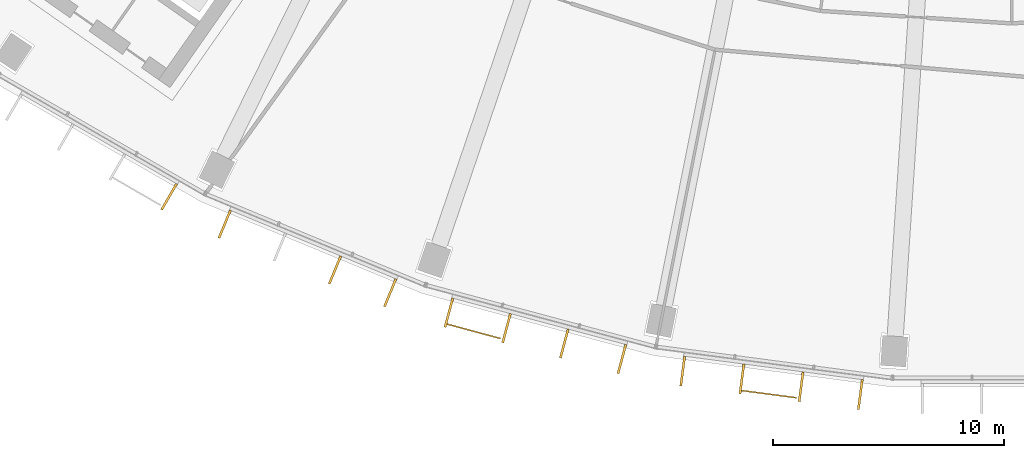
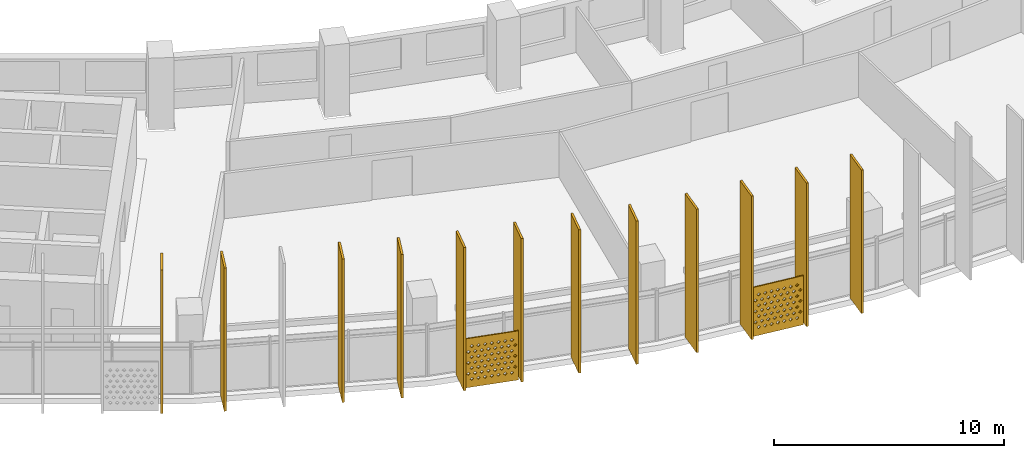
# One storey, part 23 of 31: 14 shading devices.
"""IFC4 building model written with IfcOpenShell, lengths in metres."""

import ifcopenshell
import ifcopenshell.guid

model = None  # the IFC model being written
_history = None  # IfcOwnerHistory: only IFC2X3 demands one
_inside = {}  # id of a spatial element -> (the spatial element, [elements in it])
_under = {}  # id of a project, library or spatial element -> (it, [spatial elements below it])
_declared = {}  # id of a project -> (the project, [libraries it declares])
_typed = {}  # id of a type object -> (the type object, [elements of that type])
_made_of = {}  # id of a material, layer set ... -> (it, [elements and type objects made of it])


def new_model(schema):
    """Start an empty IFC model of exactly this schema.

    Asked for "IFC4X3", IfcOpenShell would pick the latest addendum, in which some entities
    have other attributes; the version numbers below select the first issue.
    IFC2X3 requires an IfcOwnerHistory on every rooted entity: one is made here for all.
    """
    global model, _history
    if schema == "IFC4X3":
        model = ifcopenshell.file(schema_version=(4, 3, 0, 0))
    else:
        model = ifcopenshell.file(schema=schema)
    _inside.clear()
    _under.clear()
    _declared.clear()
    _typed.clear()
    _made_of.clear()
    _history = None
    if model.schema == "IFC2X3":
        org = make("IfcOrganization", Name="unknown")
        user = make(
            "IfcPersonAndOrganization",
            ThePerson=make("IfcPerson", FamilyName="unknown"),
            TheOrganization=org,
        )
        app = make(
            "IfcApplication",
            ApplicationDeveloper=org,
            Version="unknown",
            ApplicationFullName="unknown",
            ApplicationIdentifier="unknown",
        )
        _history = make(
            "IfcOwnerHistory",
            OwningUser=user,
            OwningApplication=app,
            ChangeAction="ADDED",
            CreationDate=0,
        )
    return model


def make(cls, **values):
    """One entity of the class cls with the attributes given. An attribute that is None is left unset."""
    return model.create_entity(
        cls, **{name: value for name, value in values.items() if value is not None}
    )


def rooted(cls, **values):
    """An entity with a GlobalId (a new one), such as an element, a storey or a relation."""
    return make(cls, GlobalId=ifcopenshell.guid.new(), OwnerHistory=_history, **values)


def si_unit(unit_type, name, prefix=None):
    """IfcSIUnit, for example si_unit("LENGTHUNIT", "METRE", prefix="MILLI")."""
    return make("IfcSIUnit", UnitType=unit_type, Prefix=prefix, Name=name)


def assignment(units):
    """IfcUnitAssignment: the units of a project."""
    return None if units is None else make("IfcUnitAssignment", Units=units)


def point(xyz):
    """IfcCartesianPoint."""
    return None if xyz is None else make("IfcCartesianPoint", Coordinates=xyz)


def direction(xyz):
    """IfcDirection."""
    return None if xyz is None else make("IfcDirection", DirectionRatios=xyz)


def frame(location, z_axis=None, x_axis=None):
    """IfcAxis2Placement3D, a coordinate frame: its origin and axes. An axis left out is left unset."""
    return make(
        "IfcAxis2Placement3D",
        Location=point(location),
        Axis=direction(z_axis),
        RefDirection=direction(x_axis),
    )


def frame_2d(location, x_axis=None):
    """IfcAxis2Placement2D, a coordinate frame in the plane: its origin and x axis."""
    return make(
        "IfcAxis2Placement2D", Location=point(location), RefDirection=direction(x_axis)
    )


def origin():
    """The frame at (0, 0, 0) with its axes left unset."""
    return frame((0.0, 0.0, 0.0))


def origin_2d():
    """The frame at (0, 0) in the plane with its x axis left unset."""
    return frame_2d((0.0, 0.0))


def place(relative_to, where):
    """IfcLocalPlacement: puts the frame where relative to a parent placement (None: the world)."""
    return make(
        "IfcLocalPlacement", PlacementRelTo=relative_to, RelativePlacement=where
    )


def context(
    kind, dimensions, precision=None, world=None, true_north=None, identifier=None
):
    """IfcGeometricRepresentationContext, for example the 3D "Model" context."""
    return make(
        "IfcGeometricRepresentationContext",
        ContextIdentifier=identifier,
        ContextType=kind,
        CoordinateSpaceDimension=dimensions,
        Precision=precision,
        WorldCoordinateSystem=world,
        TrueNorth=true_north,
    )


def subcontext(parent, identifier, kind, view, scale=None):
    """IfcGeometricRepresentationSubContext, for example "Body" below "Model"."""
    return make(
        "IfcGeometricRepresentationSubContext",
        ContextIdentifier=identifier,
        ContextType=kind,
        ParentContext=parent,
        TargetScale=scale,
        TargetView=view,
    )


def project(units=None, contexts=None):
    """IfcProject with its units and contexts."""
    return rooted(
        "IfcProject",
        Name="project",
        RepresentationContexts=contexts,
        UnitsInContext=assignment(units),
    )


def spatial(cls, under=None, at=None, **own):
    """A site, building, storey or space (cls), placed at a placement, below another one or the project."""
    s = rooted(cls, ObjectPlacement=at, **own)
    if under is not None:
        _under.setdefault(under.id(), (under, []))[1].append(s)
    return s


def polyline(points):
    """IfcPolyline through the points."""
    return make("IfcPolyline", Points=[point(p) for p in points])


def profile(cls, at=None, kind="AREA", **sizes):
    """A parametric profile (cls). Its sizes go by their IFC names, for example OverallWidth=200.0."""
    return make(cls, ProfileType=kind, Position=at, **sizes)


def rectangle(**sizes):
    """IfcRectangleProfileDef."""
    return profile("IfcRectangleProfileDef", **sizes)


def outline(outer, holes=None, kind="AREA"):
    """IfcArbitraryClosedProfileDef: a profile drawn as a closed curve; with holes, ...WithVoids."""
    if holes is None:
        return make("IfcArbitraryClosedProfileDef", ProfileType=kind, OuterCurve=outer)
    return make(
        "IfcArbitraryProfileDefWithVoids",
        ProfileType=kind,
        OuterCurve=outer,
        InnerCurves=holes,
    )


def extrude(swept, where, along, depth):
    """IfcExtrudedAreaSolid: the profile swept, set in the frame where, extruded along a direction by depth."""
    return make(
        "IfcExtrudedAreaSolid",
        SweptArea=swept,
        Position=where,
        ExtrudedDirection=direction(along),
        Depth=depth,
    )


def shape(context_of_items, identifier, shape_type, items):
    """IfcShapeRepresentation: the items that make up one representation, for example the "Body"."""
    return make(
        "IfcShapeRepresentation",
        ContextOfItems=context_of_items,
        RepresentationIdentifier=identifier,
        RepresentationType=shape_type,
        Items=items,
    )


def material(Name=None, Category=None):
    """IfcMaterial."""
    return make("IfcMaterial", Name=Name, Category=Category)


def material_profile(
    of_material, cross_section, Name=None, Category=None, Priority=None
):
    """IfcMaterialProfile: a cross section and its material."""
    return make(
        "IfcMaterialProfile",
        Name=Name,
        Material=of_material,
        Profile=cross_section,
        Priority=Priority,
        Category=Category,
    )


def profile_set(profiles, Name=None, composite=None):
    """IfcMaterialProfileSet."""
    return make(
        "IfcMaterialProfileSet",
        Name=Name,
        MaterialProfiles=profiles,
        CompositeProfile=composite,
    )


def made_of(thing, what):
    """Note that an element or type object is made of a material, layer set ...; save() writes the relation."""
    if what is not None:
        _made_of.setdefault(what.id(), (what, []))[1].append(thing)
    return thing


def type_object(cls, material=None, **own):
    """A type object (cls), such as IfcWallType, which elements share."""
    return made_of(rooted(cls, **own), material)


def element(
    cls,
    number,
    at=None,
    inside=None,
    cuts=None,
    type_object=None,
    material=None,
    context=None,
    identifier="Body",
    shape_type=None,
    held_by="IfcProductDefinitionShape",
    body=None,
    shapes=None,
    **own,
):
    """One element of the class cls, such as IfcWall. Its Tag is "e" and its number.

    at: its placement. inside: the storey or other place that contains it. cuts: it is an
    opening in that element (IfcRelVoidsElement). A single representation is given by context,
    identifier, shape_type and body (its items); several are given by shapes. held_by: the class
    of the entity that holds the representations. save() writes the other relations.
    """
    e = rooted(cls, Tag="e%d" % number, ObjectPlacement=at, **own)
    if body is not None:
        shapes = [shape(context, identifier, shape_type, body)]
    if shapes is not None:
        e.Representation = make(held_by, Representations=shapes)
    if inside is not None:
        _inside.setdefault(inside.id(), (inside, []))[1].append(e)
    if cuts is not None:
        rooted(
            "IfcRelVoidsElement", RelatingBuildingElement=cuts, RelatedOpeningElement=e
        )
    if type_object is not None:
        _typed.setdefault(type_object.id(), (type_object, []))[1].append(e)
    return made_of(e, material)


def aggregate(whole, parts):
    """IfcRelAggregates: a whole, such as a stair, and the parts it consists of."""
    return rooted("IfcRelAggregates", RelatingObject=whole, RelatedObjects=parts)


def save(model, path):
    """Write the relations noted so far, then the file.

    IfcRelAggregates (storeys below a building ...), IfcRelContainedInSpatialStructure (elements
    in a storey), IfcRelDefinesByType, IfcRelAssociatesMaterial and IfcRelDeclares: one each for
    every whole, place, type object, material and project.
    """
    for whole, parts in _under.values():
        aggregate(whole, parts)
    for where, things in _inside.values():
        rooted(
            "IfcRelContainedInSpatialStructure",
            RelatedElements=things,
            RelatingStructure=where,
        )
    for kind, things in _typed.values():
        rooted("IfcRelDefinesByType", RelatedObjects=things, RelatingType=kind)
    for what, things in _made_of.values():
        rooted("IfcRelAssociatesMaterial", RelatedObjects=things, RelatingMaterial=what)
    for by, libraries in _declared.values():
        rooted("IfcRelDeclares", RelatingContext=by, RelatedDefinitions=libraries)
    model.write(path)


model = new_model("IFC4")

# Units and contexts
model_context = context("Model", 3, precision=1e-05, world=origin(), true_north=direction((0.0, 1.0)))
body_context = subcontext(model_context, "Body", "Model", "MODEL_VIEW")
ifc_project = project(units=[si_unit("LENGTHUNIT", "METRE"), si_unit("AREAUNIT", "SQUARE_METRE"), si_unit("VOLUMEUNIT", "CUBIC_METRE"), si_unit("PLANEANGLEUNIT", "RADIAN"), si_unit("MASSUNIT", "GRAM", prefix="KILO")], contexts=[model_context])

# Site, building, storey
site_placement = place(None, origin())
site = spatial("IfcSite", under=ifc_project, at=site_placement, CompositionType="ELEMENT")
building_placement = place(site_placement, origin())
building = spatial("IfcBuilding", under=site, at=building_placement, Name="Qamariyya Broadcast Tower", CompositionType="ELEMENT")
storey_placement = place(building_placement, frame((0.0, 0.0, 149.300048828125)))
storey = spatial("IfcBuildingStorey", under=building, at=storey_placement, Name="L34", CompositionType="ELEMENT", Elevation=149.300048828125)

# Shading devices
ifc_material_1 = material(Name="Perforated glazed terracotta", Category="masonry")
ifc_material_profile_1 = material_profile(ifc_material_1, outline(polyline([(-1.199951171875, -1.300048828125), (1.199951171875, -1.300048828125), (1.199951171875, 1.300048828125), (-1.199951171875, 1.300048828125), (-1.199951171875, -1.300048828125)]), holes=[polyline([(-0.81494140625, -0.86669921875), (-0.89990234375, -0.78173828125), (-0.985107421875, -0.86669921875), (-0.89990234375, -0.95166015625), (-0.81494140625, -0.86669921875)]), polyline([(-0.514892578125, -0.86669921875), (-0.60009765625, -0.78173828125), (-0.68505859375, -0.86669921875), (-0.60009765625, -0.95166015625), (-0.514892578125, -0.86669921875)]), polyline([(-0.215087890625, -0.86669921875), (-0.300048828125, -0.78173828125), (-0.385009765625, -0.86669921875), (-0.300048828125, -0.95166015625), (-0.215087890625, -0.86669921875)]), polyline([(0.0849609375, -0.86669921875), (0.0, -0.78173828125), (-0.0849609375, -0.86669921875), (0.0, -0.95166015625), (0.0849609375, -0.86669921875)]), polyline([(0.385009765625, -0.86669921875), (0.300048828125, -0.78173828125), (0.215087890625, -0.86669921875), (0.300048828125, -0.95166015625), (0.385009765625, -0.86669921875)]), polyline([(0.68505859375, -0.86669921875), (0.60009765625, -0.78173828125), (0.514892578125, -0.86669921875), (0.60009765625, -0.95166015625), (0.68505859375, -0.86669921875)]), polyline([(0.985107421875, -0.86669921875), (0.89990234375, -0.78173828125), (0.81494140625, -0.86669921875), (0.89990234375, -0.95166015625), (0.985107421875, -0.86669921875)]), polyline([(-0.965087890625, -0.577880859375), (-1.050048828125, -0.49267578125), (-1.135009765625, -0.577880859375), (-1.050048828125, -0.662841796875), (-0.965087890625, -0.577880859375)]), polyline([(-0.6650390625, -0.577880859375), (-0.75, -0.49267578125), (-0.8349609375, -0.577880859375), (-0.75, -0.662841796875), (-0.6650390625, -0.577880859375)]), polyline([(-0.364990234375, -0.577880859375), (-0.449951171875, -0.49267578125), (-0.534912109375, -0.577880859375), (-0.449951171875, -0.662841796875), (-0.364990234375, -0.577880859375)]), polyline([(-0.06494140625, -0.577880859375), (-0.14990234375, -0.49267578125), (-0.235107421875, -0.577880859375), (-0.14990234375, -0.662841796875), (-0.06494140625, -0.577880859375)]), polyline([(0.235107421875, -0.577880859375), (0.14990234375, -0.49267578125), (0.06494140625, -0.577880859375), (0.14990234375, -0.662841796875), (0.235107421875, -0.577880859375)]), polyline([(0.534912109375, -0.577880859375), (0.449951171875, -0.49267578125), (0.364990234375, -0.577880859375), (0.449951171875, -0.662841796875), (0.534912109375, -0.577880859375)]), polyline([(0.8349609375, -0.577880859375), (0.75, -0.49267578125), (0.6650390625, -0.577880859375), (0.75, -0.662841796875), (0.8349609375, -0.577880859375)]), polyline([(1.135009765625, -0.577880859375), (1.050048828125, -0.49267578125), (0.965087890625, -0.577880859375), (1.050048828125, -0.662841796875), (1.135009765625, -0.577880859375)]), polyline([(-0.81494140625, -0.288818359375), (-0.89990234375, -0.203857421875), (-0.985107421875, -0.288818359375), (-0.89990234375, -0.373779296875), (-0.81494140625, -0.288818359375)]), polyline([(-0.514892578125, -0.288818359375), (-0.60009765625, -0.203857421875), (-0.68505859375, -0.288818359375), (-0.60009765625, -0.373779296875), (-0.514892578125, -0.288818359375)]), polyline([(-0.215087890625, -0.288818359375), (-0.300048828125, -0.203857421875), (-0.385009765625, -0.288818359375), (-0.300048828125, -0.373779296875), (-0.215087890625, -0.288818359375)]), polyline([(0.0849609375, -0.288818359375), (0.0, -0.203857421875), (-0.0849609375, -0.288818359375), (0.0, -0.373779296875), (0.0849609375, -0.288818359375)]), polyline([(0.385009765625, -0.288818359375), (0.300048828125, -0.203857421875), (0.215087890625, -0.288818359375), (0.300048828125, -0.373779296875), (0.385009765625, -0.288818359375)]), polyline([(0.68505859375, -0.288818359375), (0.60009765625, -0.203857421875), (0.514892578125, -0.288818359375), (0.60009765625, -0.373779296875), (0.68505859375, -0.288818359375)]), polyline([(0.985107421875, -0.288818359375), (0.89990234375, -0.203857421875), (0.81494140625, -0.288818359375), (0.89990234375, -0.373779296875), (0.985107421875, -0.288818359375)]), polyline([(-0.965087890625, 0.0), (-1.050048828125, 0.0849609375), (-1.135009765625, 0.0), (-1.050048828125, -0.0849609375), (-0.965087890625, 0.0)]), polyline([(-0.6650390625, 0.0), (-0.75, 0.0849609375), (-0.8349609375, 0.0), (-0.75, -0.0849609375), (-0.6650390625, 0.0)]), polyline([(-0.364990234375, 0.0), (-0.449951171875, 0.0849609375), (-0.534912109375, 0.0), (-0.449951171875, -0.0849609375), (-0.364990234375, 0.0)]), polyline([(-0.06494140625, 0.0), (-0.14990234375, 0.0849609375), (-0.235107421875, 0.0), (-0.14990234375, -0.0849609375), (-0.06494140625, 0.0)]), polyline([(0.235107421875, 0.0), (0.14990234375, 0.0849609375), (0.06494140625, 0.0), (0.14990234375, -0.0849609375), (0.235107421875, 0.0)]), polyline([(0.534912109375, 0.0), (0.449951171875, 0.0849609375), (0.364990234375, 0.0), (0.449951171875, -0.0849609375), (0.534912109375, 0.0)]), polyline([(0.8349609375, 0.0), (0.75, 0.0849609375), (0.6650390625, 0.0), (0.75, -0.0849609375), (0.8349609375, 0.0)]), polyline([(1.135009765625, 0.0), (1.050048828125, 0.0849609375), (0.965087890625, 0.0), (1.050048828125, -0.0849609375), (1.135009765625, 0.0)]), polyline([(-0.81494140625, 0.288818359375), (-0.89990234375, 0.373779296875), (-0.985107421875, 0.288818359375), (-0.89990234375, 0.203857421875), (-0.81494140625, 0.288818359375)]), polyline([(-0.514892578125, 0.288818359375), (-0.60009765625, 0.373779296875), (-0.68505859375, 0.288818359375), (-0.60009765625, 0.203857421875), (-0.514892578125, 0.288818359375)]), polyline([(-0.215087890625, 0.288818359375), (-0.300048828125, 0.373779296875), (-0.385009765625, 0.288818359375), (-0.300048828125, 0.203857421875), (-0.215087890625, 0.288818359375)]), polyline([(0.0849609375, 0.288818359375), (0.0, 0.373779296875), (-0.0849609375, 0.288818359375), (0.0, 0.203857421875), (0.0849609375, 0.288818359375)]), polyline([(0.385009765625, 0.288818359375), (0.300048828125, 0.373779296875), (0.215087890625, 0.288818359375), (0.300048828125, 0.203857421875), (0.385009765625, 0.288818359375)]), polyline([(0.68505859375, 0.288818359375), (0.60009765625, 0.373779296875), (0.514892578125, 0.288818359375), (0.60009765625, 0.203857421875), (0.68505859375, 0.288818359375)]), polyline([(0.985107421875, 0.288818359375), (0.89990234375, 0.373779296875), (0.81494140625, 0.288818359375), (0.89990234375, 0.203857421875), (0.985107421875, 0.288818359375)]), polyline([(-0.965087890625, 0.577880859375), (-1.050048828125, 0.662841796875), (-1.135009765625, 0.577880859375), (-1.050048828125, 0.49267578125), (-0.965087890625, 0.577880859375)]), polyline([(-0.6650390625, 0.577880859375), (-0.75, 0.662841796875), (-0.8349609375, 0.577880859375), (-0.75, 0.49267578125), (-0.6650390625, 0.577880859375)]), polyline([(-0.364990234375, 0.577880859375), (-0.449951171875, 0.662841796875), (-0.534912109375, 0.577880859375), (-0.449951171875, 0.49267578125), (-0.364990234375, 0.577880859375)]), polyline([(-0.06494140625, 0.577880859375), (-0.14990234375, 0.662841796875), (-0.235107421875, 0.577880859375), (-0.14990234375, 0.49267578125), (-0.06494140625, 0.577880859375)]), polyline([(0.235107421875, 0.577880859375), (0.14990234375, 0.662841796875), (0.06494140625, 0.577880859375), (0.14990234375, 0.49267578125), (0.235107421875, 0.577880859375)]), polyline([(0.534912109375, 0.577880859375), (0.449951171875, 0.662841796875), (0.364990234375, 0.577880859375), (0.449951171875, 0.49267578125), (0.534912109375, 0.577880859375)]), polyline([(0.8349609375, 0.577880859375), (0.75, 0.662841796875), (0.6650390625, 0.577880859375), (0.75, 0.49267578125), (0.8349609375, 0.577880859375)]), polyline([(1.135009765625, 0.577880859375), (1.050048828125, 0.662841796875), (0.965087890625, 0.577880859375), (1.050048828125, 0.49267578125), (1.135009765625, 0.577880859375)]), polyline([(-0.81494140625, 0.86669921875), (-0.89990234375, 0.95166015625), (-0.985107421875, 0.86669921875), (-0.89990234375, 0.78173828125), (-0.81494140625, 0.86669921875)]), polyline([(-0.514892578125, 0.86669921875), (-0.60009765625, 0.95166015625), (-0.68505859375, 0.86669921875), (-0.60009765625, 0.78173828125), (-0.514892578125, 0.86669921875)]), polyline([(-0.215087890625, 0.86669921875), (-0.300048828125, 0.95166015625), (-0.385009765625, 0.86669921875), (-0.300048828125, 0.78173828125), (-0.215087890625, 0.86669921875)]), polyline([(0.0849609375, 0.86669921875), (0.0, 0.95166015625), (-0.0849609375, 0.86669921875), (0.0, 0.78173828125), (0.0849609375, 0.86669921875)]), polyline([(0.385009765625, 0.86669921875), (0.300048828125, 0.95166015625), (0.215087890625, 0.86669921875), (0.300048828125, 0.78173828125), (0.385009765625, 0.86669921875)]), polyline([(0.68505859375, 0.86669921875), (0.60009765625, 0.95166015625), (0.514892578125, 0.86669921875), (0.60009765625, 0.78173828125), (0.68505859375, 0.86669921875)]), polyline([(0.985107421875, 0.86669921875), (0.89990234375, 0.95166015625), (0.81494140625, 0.86669921875), (0.89990234375, 0.78173828125), (0.985107421875, 0.86669921875)])]))
ifc_profile_set_1 = profile_set([ifc_material_profile_1], Name="Perforated glazed terracotta")
shading_device_type_1 = type_object("IfcShadingDeviceType", Name="Perforated terracotta screen 2400 x 2600", PredefinedType="USERDEFINED", material=ifc_profile_set_1)
shading_device_1_placement = place(storey_placement, frame((-23.267333984375, -76.692138671875, 1.349853515625), z_axis=(-0.260703819255, -0.965418830677, 0.0), x_axis=(0.965418830677, -0.260703819255, 0.0)))
element("IfcShadingDevice", 1, at=shading_device_1_placement, inside=storey, type_object=shading_device_type_1, Name="e-scr-L34-05-0", ObjectType="SCREEN", PredefinedType="USERDEFINED", context=body_context, shape_type="SweptSolid", body=[
    extrude(outline(polyline([(-1.199951171875, -1.300048828125), (1.199951171875, -1.300048828125), (1.199951171875, 1.300048828125), (-1.199951171875, 1.300048828125), (-1.199951171875, -1.300048828125)]), holes=[polyline([(-0.81494140625, -0.86669921875), (-0.89990234375, -0.78173828125), (-0.985107421875, -0.86669921875), (-0.89990234375, -0.95166015625), (-0.81494140625, -0.86669921875)]), polyline([(-0.514892578125, -0.86669921875), (-0.60009765625, -0.78173828125), (-0.68505859375, -0.86669921875), (-0.60009765625, -0.95166015625), (-0.514892578125, -0.86669921875)]), polyline([(-0.215087890625, -0.86669921875), (-0.300048828125, -0.78173828125), (-0.385009765625, -0.86669921875), (-0.300048828125, -0.95166015625), (-0.215087890625, -0.86669921875)]), polyline([(0.0849609375, -0.86669921875), (0.0, -0.78173828125), (-0.0849609375, -0.86669921875), (0.0, -0.95166015625), (0.0849609375, -0.86669921875)]), polyline([(0.385009765625, -0.86669921875), (0.300048828125, -0.78173828125), (0.215087890625, -0.86669921875), (0.300048828125, -0.95166015625), (0.385009765625, -0.86669921875)]), polyline([(0.68505859375, -0.86669921875), (0.60009765625, -0.78173828125), (0.514892578125, -0.86669921875), (0.60009765625, -0.95166015625), (0.68505859375, -0.86669921875)]), polyline([(0.985107421875, -0.86669921875), (0.89990234375, -0.78173828125), (0.81494140625, -0.86669921875), (0.89990234375, -0.95166015625), (0.985107421875, -0.86669921875)]), polyline([(-0.965087890625, -0.577880859375), (-1.050048828125, -0.49267578125), (-1.135009765625, -0.577880859375), (-1.050048828125, -0.662841796875), (-0.965087890625, -0.577880859375)]), polyline([(-0.6650390625, -0.577880859375), (-0.75, -0.49267578125), (-0.8349609375, -0.577880859375), (-0.75, -0.662841796875), (-0.6650390625, -0.577880859375)]), polyline([(-0.364990234375, -0.577880859375), (-0.449951171875, -0.49267578125), (-0.534912109375, -0.577880859375), (-0.449951171875, -0.662841796875), (-0.364990234375, -0.577880859375)]), polyline([(-0.06494140625, -0.577880859375), (-0.14990234375, -0.49267578125), (-0.235107421875, -0.577880859375), (-0.14990234375, -0.662841796875), (-0.06494140625, -0.577880859375)]), polyline([(0.235107421875, -0.577880859375), (0.14990234375, -0.49267578125), (0.06494140625, -0.577880859375), (0.14990234375, -0.662841796875), (0.235107421875, -0.577880859375)]), polyline([(0.534912109375, -0.577880859375), (0.449951171875, -0.49267578125), (0.364990234375, -0.577880859375), (0.449951171875, -0.662841796875), (0.534912109375, -0.577880859375)]), polyline([(0.8349609375, -0.577880859375), (0.75, -0.49267578125), (0.6650390625, -0.577880859375), (0.75, -0.662841796875), (0.8349609375, -0.577880859375)]), polyline([(1.135009765625, -0.577880859375), (1.050048828125, -0.49267578125), (0.965087890625, -0.577880859375), (1.050048828125, -0.662841796875), (1.135009765625, -0.577880859375)]), polyline([(-0.81494140625, -0.288818359375), (-0.89990234375, -0.203857421875), (-0.985107421875, -0.288818359375), (-0.89990234375, -0.373779296875), (-0.81494140625, -0.288818359375)]), polyline([(-0.514892578125, -0.288818359375), (-0.60009765625, -0.203857421875), (-0.68505859375, -0.288818359375), (-0.60009765625, -0.373779296875), (-0.514892578125, -0.288818359375)]), polyline([(-0.215087890625, -0.288818359375), (-0.300048828125, -0.203857421875), (-0.385009765625, -0.288818359375), (-0.300048828125, -0.373779296875), (-0.215087890625, -0.288818359375)]), polyline([(0.0849609375, -0.288818359375), (0.0, -0.203857421875), (-0.0849609375, -0.288818359375), (0.0, -0.373779296875), (0.0849609375, -0.288818359375)]), polyline([(0.385009765625, -0.288818359375), (0.300048828125, -0.203857421875), (0.215087890625, -0.288818359375), (0.300048828125, -0.373779296875), (0.385009765625, -0.288818359375)]), polyline([(0.68505859375, -0.288818359375), (0.60009765625, -0.203857421875), (0.514892578125, -0.288818359375), (0.60009765625, -0.373779296875), (0.68505859375, -0.288818359375)]), polyline([(0.985107421875, -0.288818359375), (0.89990234375, -0.203857421875), (0.81494140625, -0.288818359375), (0.89990234375, -0.373779296875), (0.985107421875, -0.288818359375)]), polyline([(-0.965087890625, 0.0), (-1.050048828125, 0.0849609375), (-1.135009765625, 0.0), (-1.050048828125, -0.0849609375), (-0.965087890625, 0.0)]), polyline([(-0.6650390625, 0.0), (-0.75, 0.0849609375), (-0.8349609375, 0.0), (-0.75, -0.0849609375), (-0.6650390625, 0.0)]), polyline([(-0.364990234375, 0.0), (-0.449951171875, 0.0849609375), (-0.534912109375, 0.0), (-0.449951171875, -0.0849609375), (-0.364990234375, 0.0)]), polyline([(-0.06494140625, 0.0), (-0.14990234375, 0.0849609375), (-0.235107421875, 0.0), (-0.14990234375, -0.0849609375), (-0.06494140625, 0.0)]), polyline([(0.235107421875, 0.0), (0.14990234375, 0.0849609375), (0.06494140625, 0.0), (0.14990234375, -0.0849609375), (0.235107421875, 0.0)]), polyline([(0.534912109375, 0.0), (0.449951171875, 0.0849609375), (0.364990234375, 0.0), (0.449951171875, -0.0849609375), (0.534912109375, 0.0)]), polyline([(0.8349609375, 0.0), (0.75, 0.0849609375), (0.6650390625, 0.0), (0.75, -0.0849609375), (0.8349609375, 0.0)]), polyline([(1.135009765625, 0.0), (1.050048828125, 0.0849609375), (0.965087890625, 0.0), (1.050048828125, -0.0849609375), (1.135009765625, 0.0)]), polyline([(-0.81494140625, 0.288818359375), (-0.89990234375, 0.373779296875), (-0.985107421875, 0.288818359375), (-0.89990234375, 0.203857421875), (-0.81494140625, 0.288818359375)]), polyline([(-0.514892578125, 0.288818359375), (-0.60009765625, 0.373779296875), (-0.68505859375, 0.288818359375), (-0.60009765625, 0.203857421875), (-0.514892578125, 0.288818359375)]), polyline([(-0.215087890625, 0.288818359375), (-0.300048828125, 0.373779296875), (-0.385009765625, 0.288818359375), (-0.300048828125, 0.203857421875), (-0.215087890625, 0.288818359375)]), polyline([(0.0849609375, 0.288818359375), (0.0, 0.373779296875), (-0.0849609375, 0.288818359375), (0.0, 0.203857421875), (0.0849609375, 0.288818359375)]), polyline([(0.385009765625, 0.288818359375), (0.300048828125, 0.373779296875), (0.215087890625, 0.288818359375), (0.300048828125, 0.203857421875), (0.385009765625, 0.288818359375)]), polyline([(0.68505859375, 0.288818359375), (0.60009765625, 0.373779296875), (0.514892578125, 0.288818359375), (0.60009765625, 0.203857421875), (0.68505859375, 0.288818359375)]), polyline([(0.985107421875, 0.288818359375), (0.89990234375, 0.373779296875), (0.81494140625, 0.288818359375), (0.89990234375, 0.203857421875), (0.985107421875, 0.288818359375)]), polyline([(-0.965087890625, 0.577880859375), (-1.050048828125, 0.662841796875), (-1.135009765625, 0.577880859375), (-1.050048828125, 0.49267578125), (-0.965087890625, 0.577880859375)]), polyline([(-0.6650390625, 0.577880859375), (-0.75, 0.662841796875), (-0.8349609375, 0.577880859375), (-0.75, 0.49267578125), (-0.6650390625, 0.577880859375)]), polyline([(-0.364990234375, 0.577880859375), (-0.449951171875, 0.662841796875), (-0.534912109375, 0.577880859375), (-0.449951171875, 0.49267578125), (-0.364990234375, 0.577880859375)]), polyline([(-0.06494140625, 0.577880859375), (-0.14990234375, 0.662841796875), (-0.235107421875, 0.577880859375), (-0.14990234375, 0.49267578125), (-0.06494140625, 0.577880859375)]), polyline([(0.235107421875, 0.577880859375), (0.14990234375, 0.662841796875), (0.06494140625, 0.577880859375), (0.14990234375, 0.49267578125), (0.235107421875, 0.577880859375)]), polyline([(0.534912109375, 0.577880859375), (0.449951171875, 0.662841796875), (0.364990234375, 0.577880859375), (0.449951171875, 0.49267578125), (0.534912109375, 0.577880859375)]), polyline([(0.8349609375, 0.577880859375), (0.75, 0.662841796875), (0.6650390625, 0.577880859375), (0.75, 0.49267578125), (0.8349609375, 0.577880859375)]), polyline([(1.135009765625, 0.577880859375), (1.050048828125, 0.662841796875), (0.965087890625, 0.577880859375), (1.050048828125, 0.49267578125), (1.135009765625, 0.577880859375)]), polyline([(-0.81494140625, 0.86669921875), (-0.89990234375, 0.95166015625), (-0.985107421875, 0.86669921875), (-0.89990234375, 0.78173828125), (-0.81494140625, 0.86669921875)]), polyline([(-0.514892578125, 0.86669921875), (-0.60009765625, 0.95166015625), (-0.68505859375, 0.86669921875), (-0.60009765625, 0.78173828125), (-0.514892578125, 0.86669921875)]), polyline([(-0.215087890625, 0.86669921875), (-0.300048828125, 0.95166015625), (-0.385009765625, 0.86669921875), (-0.300048828125, 0.78173828125), (-0.215087890625, 0.86669921875)]), polyline([(0.0849609375, 0.86669921875), (0.0, 0.95166015625), (-0.0849609375, 0.86669921875), (0.0, 0.78173828125), (0.0849609375, 0.86669921875)]), polyline([(0.385009765625, 0.86669921875), (0.300048828125, 0.95166015625), (0.215087890625, 0.86669921875), (0.300048828125, 0.78173828125), (0.385009765625, 0.86669921875)]), polyline([(0.68505859375, 0.86669921875), (0.60009765625, 0.95166015625), (0.514892578125, 0.86669921875), (0.60009765625, 0.78173828125), (0.68505859375, 0.86669921875)]), polyline([(0.985107421875, 0.86669921875), (0.89990234375, 0.95166015625), (0.81494140625, 0.86669921875), (0.89990234375, 0.78173828125), (0.985107421875, 0.86669921875)])]), origin(), (0.0, 0.0, 1.0), 0.059814453125),
])
shading_device_2_placement = place(storey_placement, frame((-10.49658203125, -79.41015625, 1.349853515625), z_axis=(-0.1300340368, -0.991509530601, 0.0), x_axis=(0.991509530601, -0.1300340368, 0.0)))
element("IfcShadingDevice", 2, at=shading_device_2_placement, inside=storey, type_object=shading_device_type_1, Name="e-scr-L34-06-1", ObjectType="SCREEN", PredefinedType="USERDEFINED", context=body_context, shape_type="SweptSolid", body=[
    extrude(outline(polyline([(-1.199951171875, -1.300048828125), (1.199951171875, -1.300048828125), (1.199951171875, 1.300048828125), (-1.199951171875, 1.300048828125), (-1.199951171875, -1.300048828125)]), holes=[polyline([(-0.81494140625, -0.86669921875), (-0.89990234375, -0.78173828125), (-0.985107421875, -0.86669921875), (-0.89990234375, -0.95166015625), (-0.81494140625, -0.86669921875)]), polyline([(-0.514892578125, -0.86669921875), (-0.60009765625, -0.78173828125), (-0.68505859375, -0.86669921875), (-0.60009765625, -0.95166015625), (-0.514892578125, -0.86669921875)]), polyline([(-0.215087890625, -0.86669921875), (-0.300048828125, -0.78173828125), (-0.385009765625, -0.86669921875), (-0.300048828125, -0.95166015625), (-0.215087890625, -0.86669921875)]), polyline([(0.0849609375, -0.86669921875), (0.0, -0.78173828125), (-0.0849609375, -0.86669921875), (0.0, -0.95166015625), (0.0849609375, -0.86669921875)]), polyline([(0.385009765625, -0.86669921875), (0.300048828125, -0.78173828125), (0.215087890625, -0.86669921875), (0.300048828125, -0.95166015625), (0.385009765625, -0.86669921875)]), polyline([(0.68505859375, -0.86669921875), (0.60009765625, -0.78173828125), (0.514892578125, -0.86669921875), (0.60009765625, -0.95166015625), (0.68505859375, -0.86669921875)]), polyline([(0.985107421875, -0.86669921875), (0.89990234375, -0.78173828125), (0.81494140625, -0.86669921875), (0.89990234375, -0.95166015625), (0.985107421875, -0.86669921875)]), polyline([(-0.965087890625, -0.577880859375), (-1.050048828125, -0.49267578125), (-1.135009765625, -0.577880859375), (-1.050048828125, -0.662841796875), (-0.965087890625, -0.577880859375)]), polyline([(-0.6650390625, -0.577880859375), (-0.75, -0.49267578125), (-0.8349609375, -0.577880859375), (-0.75, -0.662841796875), (-0.6650390625, -0.577880859375)]), polyline([(-0.364990234375, -0.577880859375), (-0.449951171875, -0.49267578125), (-0.534912109375, -0.577880859375), (-0.449951171875, -0.662841796875), (-0.364990234375, -0.577880859375)]), polyline([(-0.06494140625, -0.577880859375), (-0.14990234375, -0.49267578125), (-0.235107421875, -0.577880859375), (-0.14990234375, -0.662841796875), (-0.06494140625, -0.577880859375)]), polyline([(0.235107421875, -0.577880859375), (0.14990234375, -0.49267578125), (0.06494140625, -0.577880859375), (0.14990234375, -0.662841796875), (0.235107421875, -0.577880859375)]), polyline([(0.534912109375, -0.577880859375), (0.449951171875, -0.49267578125), (0.364990234375, -0.577880859375), (0.449951171875, -0.662841796875), (0.534912109375, -0.577880859375)]), polyline([(0.8349609375, -0.577880859375), (0.75, -0.49267578125), (0.6650390625, -0.577880859375), (0.75, -0.662841796875), (0.8349609375, -0.577880859375)]), polyline([(1.135009765625, -0.577880859375), (1.050048828125, -0.49267578125), (0.965087890625, -0.577880859375), (1.050048828125, -0.662841796875), (1.135009765625, -0.577880859375)]), polyline([(-0.81494140625, -0.288818359375), (-0.89990234375, -0.203857421875), (-0.985107421875, -0.288818359375), (-0.89990234375, -0.373779296875), (-0.81494140625, -0.288818359375)]), polyline([(-0.514892578125, -0.288818359375), (-0.60009765625, -0.203857421875), (-0.68505859375, -0.288818359375), (-0.60009765625, -0.373779296875), (-0.514892578125, -0.288818359375)]), polyline([(-0.215087890625, -0.288818359375), (-0.300048828125, -0.203857421875), (-0.385009765625, -0.288818359375), (-0.300048828125, -0.373779296875), (-0.215087890625, -0.288818359375)]), polyline([(0.0849609375, -0.288818359375), (0.0, -0.203857421875), (-0.0849609375, -0.288818359375), (0.0, -0.373779296875), (0.0849609375, -0.288818359375)]), polyline([(0.385009765625, -0.288818359375), (0.300048828125, -0.203857421875), (0.215087890625, -0.288818359375), (0.300048828125, -0.373779296875), (0.385009765625, -0.288818359375)]), polyline([(0.68505859375, -0.288818359375), (0.60009765625, -0.203857421875), (0.514892578125, -0.288818359375), (0.60009765625, -0.373779296875), (0.68505859375, -0.288818359375)]), polyline([(0.985107421875, -0.288818359375), (0.89990234375, -0.203857421875), (0.81494140625, -0.288818359375), (0.89990234375, -0.373779296875), (0.985107421875, -0.288818359375)]), polyline([(-0.965087890625, 0.0), (-1.050048828125, 0.0849609375), (-1.135009765625, 0.0), (-1.050048828125, -0.0849609375), (-0.965087890625, 0.0)]), polyline([(-0.6650390625, 0.0), (-0.75, 0.0849609375), (-0.8349609375, 0.0), (-0.75, -0.0849609375), (-0.6650390625, 0.0)]), polyline([(-0.364990234375, 0.0), (-0.449951171875, 0.0849609375), (-0.534912109375, 0.0), (-0.449951171875, -0.0849609375), (-0.364990234375, 0.0)]), polyline([(-0.06494140625, 0.0), (-0.14990234375, 0.0849609375), (-0.235107421875, 0.0), (-0.14990234375, -0.0849609375), (-0.06494140625, 0.0)]), polyline([(0.235107421875, 0.0), (0.14990234375, 0.0849609375), (0.06494140625, 0.0), (0.14990234375, -0.0849609375), (0.235107421875, 0.0)]), polyline([(0.534912109375, 0.0), (0.449951171875, 0.0849609375), (0.364990234375, 0.0), (0.449951171875, -0.0849609375), (0.534912109375, 0.0)]), polyline([(0.8349609375, 0.0), (0.75, 0.0849609375), (0.6650390625, 0.0), (0.75, -0.0849609375), (0.8349609375, 0.0)]), polyline([(1.135009765625, 0.0), (1.050048828125, 0.0849609375), (0.965087890625, 0.0), (1.050048828125, -0.0849609375), (1.135009765625, 0.0)]), polyline([(-0.81494140625, 0.288818359375), (-0.89990234375, 0.373779296875), (-0.985107421875, 0.288818359375), (-0.89990234375, 0.203857421875), (-0.81494140625, 0.288818359375)]), polyline([(-0.514892578125, 0.288818359375), (-0.60009765625, 0.373779296875), (-0.68505859375, 0.288818359375), (-0.60009765625, 0.203857421875), (-0.514892578125, 0.288818359375)]), polyline([(-0.215087890625, 0.288818359375), (-0.300048828125, 0.373779296875), (-0.385009765625, 0.288818359375), (-0.300048828125, 0.203857421875), (-0.215087890625, 0.288818359375)]), polyline([(0.0849609375, 0.288818359375), (0.0, 0.373779296875), (-0.0849609375, 0.288818359375), (0.0, 0.203857421875), (0.0849609375, 0.288818359375)]), polyline([(0.385009765625, 0.288818359375), (0.300048828125, 0.373779296875), (0.215087890625, 0.288818359375), (0.300048828125, 0.203857421875), (0.385009765625, 0.288818359375)]), polyline([(0.68505859375, 0.288818359375), (0.60009765625, 0.373779296875), (0.514892578125, 0.288818359375), (0.60009765625, 0.203857421875), (0.68505859375, 0.288818359375)]), polyline([(0.985107421875, 0.288818359375), (0.89990234375, 0.373779296875), (0.81494140625, 0.288818359375), (0.89990234375, 0.203857421875), (0.985107421875, 0.288818359375)]), polyline([(-0.965087890625, 0.577880859375), (-1.050048828125, 0.662841796875), (-1.135009765625, 0.577880859375), (-1.050048828125, 0.49267578125), (-0.965087890625, 0.577880859375)]), polyline([(-0.6650390625, 0.577880859375), (-0.75, 0.662841796875), (-0.8349609375, 0.577880859375), (-0.75, 0.49267578125), (-0.6650390625, 0.577880859375)]), polyline([(-0.364990234375, 0.577880859375), (-0.449951171875, 0.662841796875), (-0.534912109375, 0.577880859375), (-0.449951171875, 0.49267578125), (-0.364990234375, 0.577880859375)]), polyline([(-0.06494140625, 0.577880859375), (-0.14990234375, 0.662841796875), (-0.235107421875, 0.577880859375), (-0.14990234375, 0.49267578125), (-0.06494140625, 0.577880859375)]), polyline([(0.235107421875, 0.577880859375), (0.14990234375, 0.662841796875), (0.06494140625, 0.577880859375), (0.14990234375, 0.49267578125), (0.235107421875, 0.577880859375)]), polyline([(0.534912109375, 0.577880859375), (0.449951171875, 0.662841796875), (0.364990234375, 0.577880859375), (0.449951171875, 0.49267578125), (0.534912109375, 0.577880859375)]), polyline([(0.8349609375, 0.577880859375), (0.75, 0.662841796875), (0.6650390625, 0.577880859375), (0.75, 0.49267578125), (0.8349609375, 0.577880859375)]), polyline([(1.135009765625, 0.577880859375), (1.050048828125, 0.662841796875), (0.965087890625, 0.577880859375), (1.050048828125, 0.49267578125), (1.135009765625, 0.577880859375)]), polyline([(-0.81494140625, 0.86669921875), (-0.89990234375, 0.95166015625), (-0.985107421875, 0.86669921875), (-0.89990234375, 0.78173828125), (-0.81494140625, 0.86669921875)]), polyline([(-0.514892578125, 0.86669921875), (-0.60009765625, 0.95166015625), (-0.68505859375, 0.86669921875), (-0.60009765625, 0.78173828125), (-0.514892578125, 0.86669921875)]), polyline([(-0.215087890625, 0.86669921875), (-0.300048828125, 0.95166015625), (-0.385009765625, 0.86669921875), (-0.300048828125, 0.78173828125), (-0.215087890625, 0.86669921875)]), polyline([(0.0849609375, 0.86669921875), (0.0, 0.95166015625), (-0.0849609375, 0.86669921875), (0.0, 0.78173828125), (0.0849609375, 0.86669921875)]), polyline([(0.385009765625, 0.86669921875), (0.300048828125, 0.95166015625), (0.215087890625, 0.86669921875), (0.300048828125, 0.78173828125), (0.385009765625, 0.86669921875)]), polyline([(0.68505859375, 0.86669921875), (0.60009765625, 0.95166015625), (0.514892578125, 0.86669921875), (0.60009765625, 0.78173828125), (0.68505859375, 0.86669921875)]), polyline([(0.985107421875, 0.86669921875), (0.89990234375, 0.95166015625), (0.81494140625, 0.86669921875), (0.89990234375, 0.78173828125), (0.985107421875, 0.86669921875)])]), origin(), (0.0, 0.0, 1.0), 0.06005859375),
])
ifc_material_2 = material(Name="Glazed terracotta", Category="masonry")
ifc_material_profile_2 = material_profile(ifc_material_2, rectangle(XDim=1.300048828125, YDim=0.10009765625, at=origin_2d()))
ifc_profile_set_2 = profile_set([ifc_material_profile_2], Name="Glazed terracotta")
shading_device_type_2 = type_object("IfcShadingDeviceType", Name="Terracotta fin 100 x 1300", PredefinedType="USERDEFINED", material=ifc_profile_set_2)
for number, where, z_axis, x_axis, name in (
    (3, (-36.45947265625, -70.89990234375, 0.0), (0.0, 0.0, 1.0), (-0.5, -0.866025403784, 0.0), "e-fin-L34-03-3"),
    (4, (-34.053466796875, -72.08642578125, 0.0), (0.0, 0.0, 1.0), (-0.382683432365, -0.923879532511, 0.0), "e-fin-L34-04-0"),
    (5, (-29.280029296875, -74.063720703125, 0.0), (0.0, 0.0, 1.0), (-0.382683432365, -0.923879532511, 0.0), "e-fin-L34-04-2"),
    (6, (-26.893310546875, -75.05224609375, 0.0), (0.0, 0.0, 1.0), (-0.382683432365, -0.923879532511, 0.0), "e-fin-L34-04-3"),
    (7, (-24.35302734375, -75.91455078125, 0.0), (0.0, 0.0, 1.0), (-0.258819045103, -0.965925826289, 0.0), "e-fin-L34-05-0"),
    (8, (-21.857666015625, -76.583251953125, 0.0), (0.0, 0.0, 1.0), (-0.258819045103, -0.965925826289, 0.0), "e-fin-L34-05-1"),
    (9, (-19.3623046875, -77.251708984375, 0.0), (0.0, 0.0, 1.0), (-0.258819045103, -0.965925826289, 0.0), "e-fin-L34-05-2"),
    (10, (-16.866943359375, -77.92041015625, 0.0), (0.0, 0.0, 1.0), (-0.258819045103, -0.965925826289, 0.0), "e-fin-L34-05-3"),
    (11, (-14.23583984375, -78.44384765625, 0.0), (0.0, 0.0, 1.0), (-0.13052619222, -0.991444861374, 0.0), "e-fin-L34-06-0"),
    (12, (-11.674560546875, -78.781005859375, 0.0), (0.0, 0.0, 1.0), (-0.13052619222, -0.991444861374, 0.0), "e-fin-L34-06-1"),
    (13, (-9.11328125, -79.1181640625, 0.0), (0.0, 0.0, 1.0), (-0.13052619222, -0.991444861374, 0.0), "e-fin-L34-06-2"),
    (14, (-6.552001953125, -79.455322265625, 0.0), (0.0, 0.0, 1.0), (-0.13052619222, -0.991444861374, 0.0), "e-fin-L34-06-3"),
):
    element("IfcShadingDevice", number, at=place(storey_placement, frame(where, z_axis=z_axis, x_axis=x_axis)), inside=storey, type_object=shading_device_type_2, Name=name, ObjectType="FIN", PredefinedType="USERDEFINED", context=body_context, shape_type="SweptSolid", body=[
        extrude(rectangle(XDim=1.300048828125, YDim=0.10009765625, at=origin_2d()), origin(), (0.0, 0.0, 1.0), 7.599853515625),
    ])

save(model, "model.ifc")
